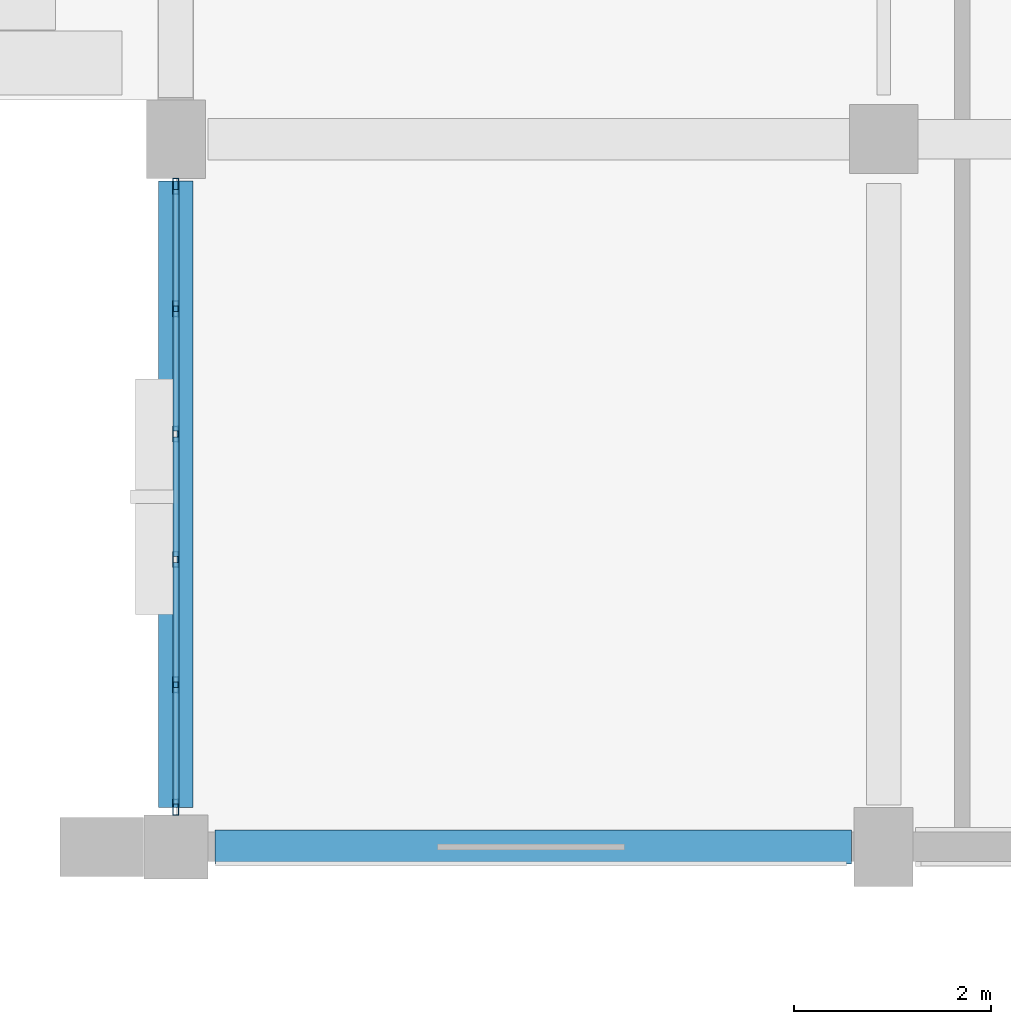
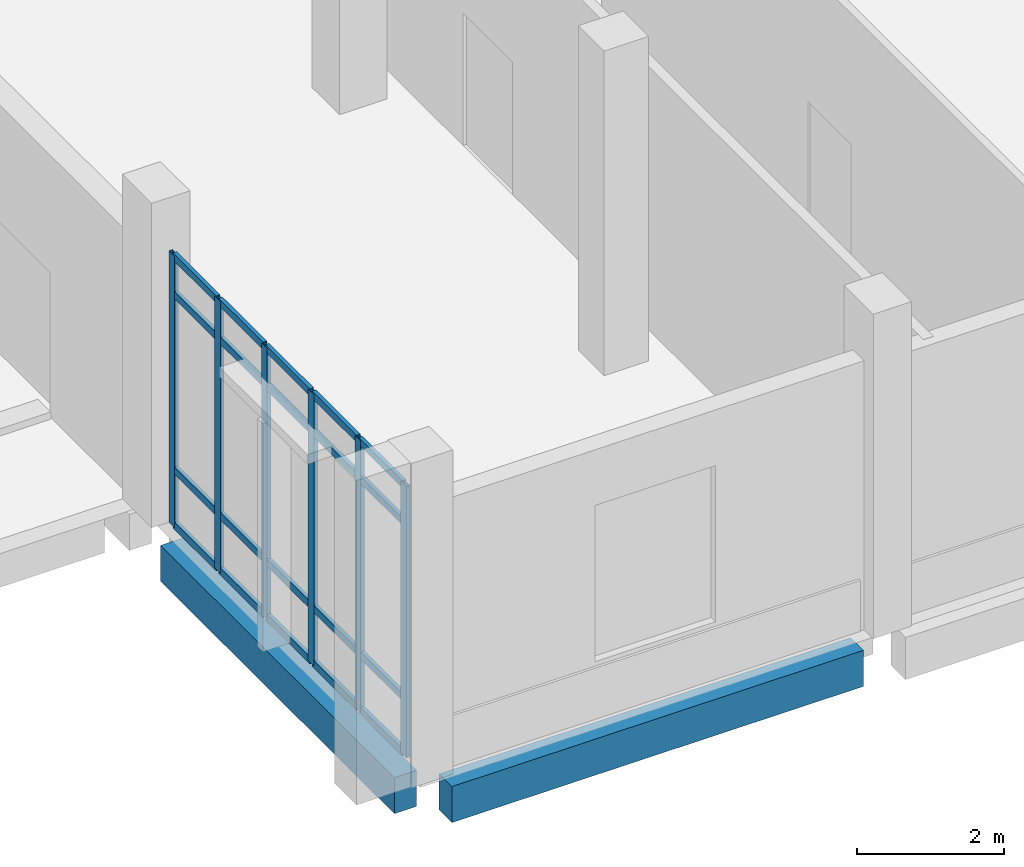
# One storey, part 7 of 110: 26 members, 2 beams, 1 element without a shape of its own.
"""IFC4 building model written with IfcOpenShell, lengths in metres."""

from ifc_helpers import new_model, si_unit, direction, frame, origin, origin_2d, place, context, subcontext, project, spatial, rectangle, hollow_rectangle, extrude, material, material_profile, profile_set, type_object, element, aggregate, save


model = new_model("IFC4")

# Units and contexts
model_context = context("Model", 3, precision=1e-05, world=origin(), true_north=direction((0.0, 1.0)))
body_context = subcontext(model_context, "Body", "Model", "MODEL_VIEW")
ifc_project = project(units=[si_unit("LENGTHUNIT", "METRE"), si_unit("AREAUNIT", "SQUARE_METRE"), si_unit("VOLUMEUNIT", "CUBIC_METRE"), si_unit("PLANEANGLEUNIT", "RADIAN"), si_unit("MASSUNIT", "GRAM", prefix="KILO")], contexts=[model_context])

# Site, building, storey
site_placement = place(None, origin())
site = spatial("IfcSite", under=ifc_project, at=site_placement, CompositionType="ELEMENT")
building_placement = place(site_placement, origin())
building = spatial("IfcBuilding", under=site, at=building_placement, Name="Kalluvel Institute of Natural Sciences", CompositionType="ELEMENT")
storey_placement = place(building_placement, origin())
storey = spatial("IfcBuildingStorey", under=building, at=storey_placement, Name="L00", CompositionType="ELEMENT", Elevation=0.0)

# Curtain wall, members
ifc_material_1 = material(Name="Aluminium AW-6063 T6", Category="aluminium")
curtain_wall_type = type_object("IfcCurtainWallType", Name="CW-DRY-54", PredefinedType="USERDEFINED", material=ifc_material_1)
curtain_wall_placement = place(storey_placement, origin())
curtain_wall = element("IfcCurtainWall", 1, at=curtain_wall_placement, inside=storey, type_object=curtain_wall_type, Name="L00 Gothic lancet curtain wall CWA-L00-X140-Y144", ObjectType="UNITISED LANCET FACADE", PredefinedType="USERDEFINED")
ifc_material_profile_1 = material_profile(ifc_material_1, hollow_rectangle(XDim=0.06005859375, YDim=0.159912109375, WallThickness=0.00390625, at=origin_2d()), Name="CWM 60x160")
ifc_profile_set_1 = profile_set([ifc_material_profile_1], Name="Aluminium AW-6063 T6")
member_type_1 = type_object("IfcMemberType", Name="CWM-60x160", PredefinedType="MULLION", material=ifc_profile_set_1)
member_1_placement = place(storey_placement, frame((14.0, 14.405029296875, 0.0), z_axis=(0.0, 0.0, 1.0), x_axis=(-1.0, 0.0, 0.0)))
member_1 = element("IfcMember", 2, at=member_1_placement, type_object=member_type_1, Name="CW-04 mullion 1", PredefinedType="MULLION", context=body_context, shape_type="SweptSolid", body=[
    extrude(hollow_rectangle(XDim=0.06005859375, YDim=0.159912109375, WallThickness=0.00390625, at=origin_2d()), origin(), (0.0, 0.0, 1.0), 4.52001953125),
])
member_2_placement = place(storey_placement, frame((14.0, 15.64990234375, 0.0), z_axis=(0.0, 0.0, 1.0), x_axis=(-1.0, 0.0, 0.0)))
member_2 = element("IfcMember", 3, at=member_2_placement, type_object=member_type_1, Name="CW-04 mullion 2", PredefinedType="MULLION", context=body_context, shape_type="SweptSolid", body=[
    extrude(hollow_rectangle(XDim=0.06005859375, YDim=0.159912109375, WallThickness=0.00390625, at=origin_2d()), origin(), (0.0, 0.0, 1.0), 4.52001953125),
])
member_3_placement = place(storey_placement, frame((14.0, 16.925048828125, 0.0), z_axis=(0.0, 0.0, 1.0), x_axis=(-1.0, 0.0, 0.0)))
member_3 = element("IfcMember", 4, at=member_3_placement, type_object=member_type_1, Name="CW-04 mullion 3", PredefinedType="MULLION", context=body_context, shape_type="SweptSolid", body=[
    extrude(hollow_rectangle(XDim=0.06005859375, YDim=0.159912109375, WallThickness=0.00390625, at=origin_2d()), origin(), (0.0, 0.0, 1.0), 4.52001953125),
])
member_4_placement = place(storey_placement, frame((14.0, 18.199951171875, 0.0), z_axis=(0.0, 0.0, 1.0), x_axis=(-1.0, 0.0, 0.0)))
member_4 = element("IfcMember", 5, at=member_4_placement, type_object=member_type_1, Name="CW-04 mullion 4", PredefinedType="MULLION", context=body_context, shape_type="SweptSolid", body=[
    extrude(hollow_rectangle(XDim=0.06005859375, YDim=0.159912109375, WallThickness=0.00390625, at=origin_2d()), origin(), (0.0, 0.0, 1.0), 4.52001953125),
])
member_5_placement = place(storey_placement, frame((14.0, 19.47509765625, 0.0), z_axis=(0.0, 0.0, 1.0), x_axis=(-1.0, 0.0, 0.0)))
member_5 = element("IfcMember", 6, at=member_5_placement, type_object=member_type_1, Name="CW-04 mullion 5", PredefinedType="MULLION", context=body_context, shape_type="SweptSolid", body=[
    extrude(hollow_rectangle(XDim=0.06005859375, YDim=0.159912109375, WallThickness=0.00390625, at=origin_2d()), origin(), (0.0, 0.0, 1.0), 4.52001953125),
])
member_6_placement = place(storey_placement, frame((14.0, 20.719970703125, 0.0), z_axis=(0.0, 0.0, 1.0), x_axis=(-1.0, 0.0, 0.0)))
member_6 = element("IfcMember", 7, at=member_6_placement, type_object=member_type_1, Name="CW-04 mullion 6", PredefinedType="MULLION", context=body_context, shape_type="SweptSolid", body=[
    extrude(hollow_rectangle(XDim=0.06005859375, YDim=0.159912109375, WallThickness=0.00390625, at=origin_2d()), origin(), (0.0, 0.0, 1.0), 4.52001953125),
])
ifc_material_profile_2 = material_profile(ifc_material_1, hollow_rectangle(XDim=0.06005859375, YDim=0.1201171875, WallThickness=0.00390625, at=origin_2d()), Name="CWT 60x120")
ifc_profile_set_2 = profile_set([ifc_material_profile_2], Name="Aluminium AW-6063 T6")
member_type_2 = type_object("IfcMemberType", Name="CWT-60x120", PredefinedType="USERDEFINED", material=ifc_profile_set_2)
member_7_placement = place(storey_placement, frame((14.0, 14.43505859375, 0.030029296875), z_axis=(0.0, 1.0, 0.0), x_axis=(-1.0, 0.0, 0.0)))
member_7 = element("IfcMember", 8, at=member_7_placement, type_object=member_type_2, Name="CW-04 transom 1.1", ObjectType="TRANSOM", PredefinedType="USERDEFINED", context=body_context, shape_type="SweptSolid", body=[
    extrude(hollow_rectangle(XDim=0.06005859375, YDim=0.1201171875, WallThickness=0.00390625, at=origin_2d()), origin(), (0.0, 0.0, 1.0), 1.18505859375),
])
member_8_placement = place(storey_placement, frame((14.0, 14.43505859375, 0.949951171875), z_axis=(0.0, 1.0, 0.0), x_axis=(-1.0, 0.0, 0.0)))
member_8 = element("IfcMember", 9, at=member_8_placement, type_object=member_type_2, Name="CW-04 transom 1.2", ObjectType="TRANSOM", PredefinedType="USERDEFINED", context=body_context, shape_type="SweptSolid", body=[
    extrude(hollow_rectangle(XDim=0.06005859375, YDim=0.1201171875, WallThickness=0.00390625, at=origin_2d()), origin(), (0.0, 0.0, 1.0), 1.18505859375),
])
member_9_placement = place(storey_placement, frame((14.0, 14.43505859375, 3.8701171875), z_axis=(0.0, 1.0, 0.0), x_axis=(-1.0, 0.0, 0.0)))
member_9 = element("IfcMember", 10, at=member_9_placement, type_object=member_type_2, Name="CW-04 transom 1.3", ObjectType="TRANSOM", PredefinedType="USERDEFINED", context=body_context, shape_type="SweptSolid", body=[
    extrude(hollow_rectangle(XDim=0.06005859375, YDim=0.1201171875, WallThickness=0.00390625, at=origin_2d()), origin(), (0.0, 0.0, 1.0), 1.18505859375),
])
member_10_placement = place(storey_placement, frame((14.0, 14.43505859375, 4.489990234375), z_axis=(0.0, 1.0, 0.0), x_axis=(-1.0, 0.0, 0.0)))
member_10 = element("IfcMember", 11, at=member_10_placement, type_object=member_type_2, Name="CW-04 transom 1.4", ObjectType="TRANSOM", PredefinedType="USERDEFINED", context=body_context, shape_type="SweptSolid", body=[
    extrude(hollow_rectangle(XDim=0.06005859375, YDim=0.1201171875, WallThickness=0.00390625, at=origin_2d()), origin(), (0.0, 0.0, 1.0), 1.18505859375),
])
member_11_placement = place(storey_placement, frame((14.0, 15.679931640625, 0.030029296875), z_axis=(0.0, 1.0, 0.0), x_axis=(-1.0, 0.0, 0.0)))
member_11 = element("IfcMember", 12, at=member_11_placement, type_object=member_type_2, Name="CW-04 transom 2.1", ObjectType="TRANSOM", PredefinedType="USERDEFINED", context=body_context, shape_type="SweptSolid", body=[
    extrude(hollow_rectangle(XDim=0.06005859375, YDim=0.1201171875, WallThickness=0.00390625, at=origin_2d()), origin(), (0.0, 0.0, 1.0), 1.215087890625),
])
member_12_placement = place(storey_placement, frame((14.0, 15.679931640625, 0.949951171875), z_axis=(0.0, 1.0, 0.0), x_axis=(-1.0, 0.0, 0.0)))
member_12 = element("IfcMember", 13, at=member_12_placement, type_object=member_type_2, Name="CW-04 transom 2.2", ObjectType="TRANSOM", PredefinedType="USERDEFINED", context=body_context, shape_type="SweptSolid", body=[
    extrude(hollow_rectangle(XDim=0.06005859375, YDim=0.1201171875, WallThickness=0.00390625, at=origin_2d()), origin(), (0.0, 0.0, 1.0), 1.215087890625),
])
member_13_placement = place(storey_placement, frame((14.0, 15.679931640625, 3.8701171875), z_axis=(0.0, 1.0, 0.0), x_axis=(-1.0, 0.0, 0.0)))
member_13 = element("IfcMember", 14, at=member_13_placement, type_object=member_type_2, Name="CW-04 transom 2.3", ObjectType="TRANSOM", PredefinedType="USERDEFINED", context=body_context, shape_type="SweptSolid", body=[
    extrude(hollow_rectangle(XDim=0.06005859375, YDim=0.1201171875, WallThickness=0.00390625, at=origin_2d()), origin(), (0.0, 0.0, 1.0), 1.215087890625),
])
member_14_placement = place(storey_placement, frame((14.0, 15.679931640625, 4.489990234375), z_axis=(0.0, 1.0, 0.0), x_axis=(-1.0, 0.0, 0.0)))
member_14 = element("IfcMember", 15, at=member_14_placement, type_object=member_type_2, Name="CW-04 transom 2.4", ObjectType="TRANSOM", PredefinedType="USERDEFINED", context=body_context, shape_type="SweptSolid", body=[
    extrude(hollow_rectangle(XDim=0.06005859375, YDim=0.1201171875, WallThickness=0.00390625, at=origin_2d()), origin(), (0.0, 0.0, 1.0), 1.215087890625),
])
member_15_placement = place(storey_placement, frame((14.0, 16.955078125, 0.030029296875), z_axis=(0.0, 1.0, 0.0), x_axis=(-1.0, 0.0, 0.0)))
member_15 = element("IfcMember", 16, at=member_15_placement, type_object=member_type_2, Name="CW-04 transom 3.1", ObjectType="TRANSOM", PredefinedType="USERDEFINED", context=body_context, shape_type="SweptSolid", body=[
    extrude(hollow_rectangle(XDim=0.06005859375, YDim=0.1201171875, WallThickness=0.00390625, at=origin_2d()), origin(), (0.0, 0.0, 1.0), 1.21484375),
])
member_16_placement = place(storey_placement, frame((14.0, 16.955078125, 0.949951171875), z_axis=(0.0, 1.0, 0.0), x_axis=(-1.0, 0.0, 0.0)))
member_16 = element("IfcMember", 17, at=member_16_placement, type_object=member_type_2, Name="CW-04 transom 3.2", ObjectType="TRANSOM", PredefinedType="USERDEFINED", context=body_context, shape_type="SweptSolid", body=[
    extrude(hollow_rectangle(XDim=0.06005859375, YDim=0.1201171875, WallThickness=0.00390625, at=origin_2d()), origin(), (0.0, 0.0, 1.0), 1.21484375),
])
member_17_placement = place(storey_placement, frame((14.0, 16.955078125, 3.8701171875), z_axis=(0.0, 1.0, 0.0), x_axis=(-1.0, 0.0, 0.0)))
member_17 = element("IfcMember", 18, at=member_17_placement, type_object=member_type_2, Name="CW-04 transom 3.3", ObjectType="TRANSOM", PredefinedType="USERDEFINED", context=body_context, shape_type="SweptSolid", body=[
    extrude(hollow_rectangle(XDim=0.06005859375, YDim=0.1201171875, WallThickness=0.00390625, at=origin_2d()), origin(), (0.0, 0.0, 1.0), 1.21484375),
])
member_18_placement = place(storey_placement, frame((14.0, 16.955078125, 4.489990234375), z_axis=(0.0, 1.0, 0.0), x_axis=(-1.0, 0.0, 0.0)))
member_18 = element("IfcMember", 19, at=member_18_placement, type_object=member_type_2, Name="CW-04 transom 3.4", ObjectType="TRANSOM", PredefinedType="USERDEFINED", context=body_context, shape_type="SweptSolid", body=[
    extrude(hollow_rectangle(XDim=0.06005859375, YDim=0.1201171875, WallThickness=0.00390625, at=origin_2d()), origin(), (0.0, 0.0, 1.0), 1.21484375),
])
member_19_placement = place(storey_placement, frame((14.0, 18.22998046875, 0.030029296875), z_axis=(0.0, 1.0, 0.0), x_axis=(-1.0, 0.0, 0.0)))
member_19 = element("IfcMember", 20, at=member_19_placement, type_object=member_type_2, Name="CW-04 transom 4.1", ObjectType="TRANSOM", PredefinedType="USERDEFINED", context=body_context, shape_type="SweptSolid", body=[
    extrude(hollow_rectangle(XDim=0.06005859375, YDim=0.1201171875, WallThickness=0.00390625, at=origin_2d()), origin(), (0.0, 0.0, 1.0), 1.215087890625),
])
member_20_placement = place(storey_placement, frame((14.0, 18.22998046875, 0.949951171875), z_axis=(0.0, 1.0, 0.0), x_axis=(-1.0, 0.0, 0.0)))
member_20 = element("IfcMember", 21, at=member_20_placement, type_object=member_type_2, Name="CW-04 transom 4.2", ObjectType="TRANSOM", PredefinedType="USERDEFINED", context=body_context, shape_type="SweptSolid", body=[
    extrude(hollow_rectangle(XDim=0.06005859375, YDim=0.1201171875, WallThickness=0.00390625, at=origin_2d()), origin(), (0.0, 0.0, 1.0), 1.215087890625),
])
member_21_placement = place(storey_placement, frame((14.0, 18.22998046875, 3.8701171875), z_axis=(0.0, 1.0, 0.0), x_axis=(-1.0, 0.0, 0.0)))
member_21 = element("IfcMember", 22, at=member_21_placement, type_object=member_type_2, Name="CW-04 transom 4.3", ObjectType="TRANSOM", PredefinedType="USERDEFINED", context=body_context, shape_type="SweptSolid", body=[
    extrude(hollow_rectangle(XDim=0.06005859375, YDim=0.1201171875, WallThickness=0.00390625, at=origin_2d()), origin(), (0.0, 0.0, 1.0), 1.215087890625),
])
member_22_placement = place(storey_placement, frame((14.0, 18.22998046875, 4.489990234375), z_axis=(0.0, 1.0, 0.0), x_axis=(-1.0, 0.0, 0.0)))
member_22 = element("IfcMember", 23, at=member_22_placement, type_object=member_type_2, Name="CW-04 transom 4.4", ObjectType="TRANSOM", PredefinedType="USERDEFINED", context=body_context, shape_type="SweptSolid", body=[
    extrude(hollow_rectangle(XDim=0.06005859375, YDim=0.1201171875, WallThickness=0.00390625, at=origin_2d()), origin(), (0.0, 0.0, 1.0), 1.215087890625),
])
member_23_placement = place(storey_placement, frame((14.0, 19.5048828125, 0.030029296875), z_axis=(0.0, 1.0, 0.0), x_axis=(-1.0, 0.0, 0.0)))
member_23 = element("IfcMember", 24, at=member_23_placement, type_object=member_type_2, Name="CW-04 transom 5.1", ObjectType="TRANSOM", PredefinedType="USERDEFINED", context=body_context, shape_type="SweptSolid", body=[
    extrude(hollow_rectangle(XDim=0.06005859375, YDim=0.1201171875, WallThickness=0.00390625, at=origin_2d()), origin(), (0.0, 0.0, 1.0), 1.18505859375),
])
member_24_placement = place(storey_placement, frame((14.0, 19.5048828125, 0.949951171875), z_axis=(0.0, 1.0, 0.0), x_axis=(-1.0, 0.0, 0.0)))
member_24 = element("IfcMember", 25, at=member_24_placement, type_object=member_type_2, Name="CW-04 transom 5.2", ObjectType="TRANSOM", PredefinedType="USERDEFINED", context=body_context, shape_type="SweptSolid", body=[
    extrude(hollow_rectangle(XDim=0.06005859375, YDim=0.1201171875, WallThickness=0.00390625, at=origin_2d()), origin(), (0.0, 0.0, 1.0), 1.18505859375),
])
member_25_placement = place(storey_placement, frame((14.0, 19.5048828125, 3.8701171875), z_axis=(0.0, 1.0, 0.0), x_axis=(-1.0, 0.0, 0.0)))
member_25 = element("IfcMember", 26, at=member_25_placement, type_object=member_type_2, Name="CW-04 transom 5.3", ObjectType="TRANSOM", PredefinedType="USERDEFINED", context=body_context, shape_type="SweptSolid", body=[
    extrude(hollow_rectangle(XDim=0.06005859375, YDim=0.1201171875, WallThickness=0.00390625, at=origin_2d()), origin(), (0.0, 0.0, 1.0), 1.18505859375),
])
member_26_placement = place(storey_placement, frame((14.0, 19.5048828125, 4.489990234375), z_axis=(0.0, 1.0, 0.0), x_axis=(-1.0, 0.0, 0.0)))
member_26 = element("IfcMember", 27, at=member_26_placement, type_object=member_type_2, Name="CW-04 transom 5.4", ObjectType="TRANSOM", PredefinedType="USERDEFINED", context=body_context, shape_type="SweptSolid", body=[
    extrude(hollow_rectangle(XDim=0.06005859375, YDim=0.1201171875, WallThickness=0.00390625, at=origin_2d()), origin(), (0.0, 0.0, 1.0), 1.18505859375),
])
aggregate(curtain_wall, [member_1, member_2, member_3, member_4, member_5, member_6, member_7, member_8, member_9, member_10, member_11, member_12, member_13, member_14, member_15, member_16, member_17, member_18, member_19, member_20, member_21, member_22, member_23, member_24, member_25, member_26])

# Beams
ifc_material_2 = material(Name="Concrete M40", Category="concrete")
ifc_material_profile_3 = material_profile(ifc_material_2, rectangle(XDim=0.35009765625, YDim=0.60009765625, at=origin_2d()), Name="RCB 350x600")
ifc_profile_set_3 = profile_set([ifc_material_profile_3], Name="Concrete M40")
beam_type = type_object("IfcBeamType", Name="SP-RC350x600", PredefinedType="SPANDREL", material=ifc_profile_set_3)
beam_1_placement = place(storey_placement, frame((14.39990234375, 14.0, -0.6201171875), z_axis=(1.0, 0.0, 0.0), x_axis=(0.0, 1.0, 0.0)))
element("IfcBeam", 28, at=beam_1_placement, inside=storey, type_object=beam_type, Name="L00 girder GIR-L00-EW-X140-Y140", PredefinedType="SPANDREL", context=body_context, shape_type="SweptSolid", body=[
    extrude(rectangle(XDim=0.35009765625, YDim=0.60009765625, at=origin_2d()), origin(), (0.0, 0.0, 1.0), 6.47509765625),
])
beam_2_placement = place(storey_placement, frame((14.0, 14.39990234375, -0.6201171875), z_axis=(0.0, 1.0, 0.0), x_axis=(-1.0, 0.0, 0.0)))
element("IfcBeam", 29, at=beam_2_placement, inside=storey, type_object=beam_type, Name="L00 girder GIR-L00-NS-X140-Y140", PredefinedType="SPANDREL", context=body_context, shape_type="SweptSolid", body=[
    extrude(rectangle(XDim=0.35009765625, YDim=0.60009765625, at=origin_2d()), origin(), (0.0, 0.0, 1.0), 6.375),
])

save(model, "model.ifc")
